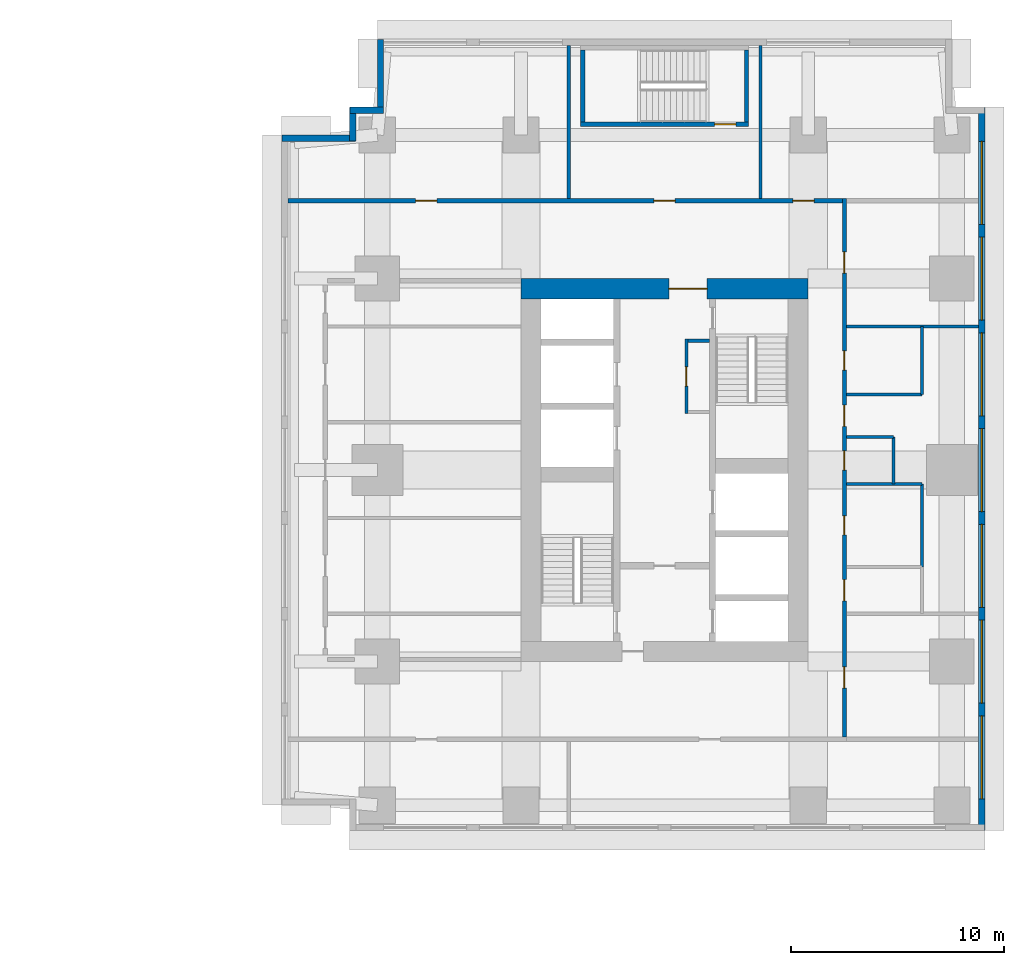
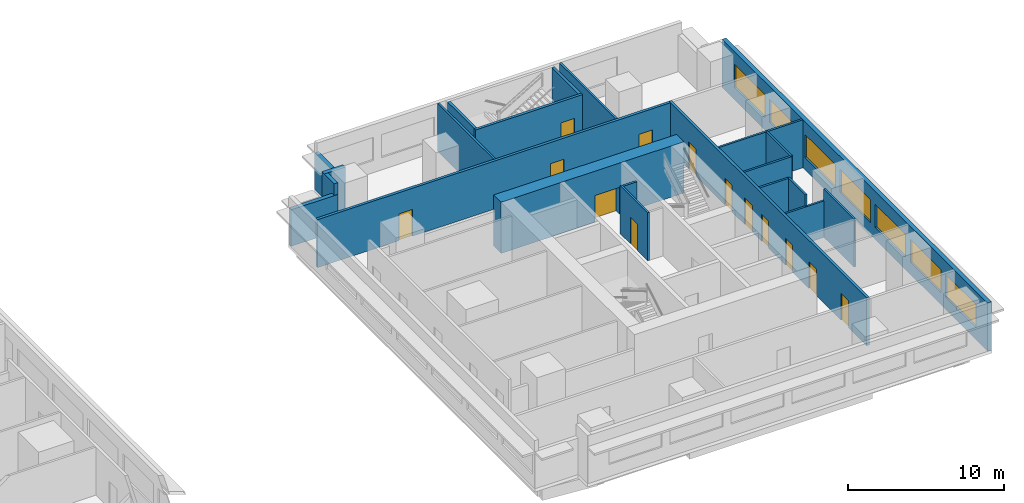
# One storey, part 7 of 11: 22 walls, 13 doors, 7 windows, 20 openings.
"""IFC4 building model written with IfcOpenShell, lengths in metres."""

from ifc_helpers import new_model, si_unit, direction, frame, frame_2d, origin, place, context, subcontext, project, spatial, rectangle, extrude, material, layer, layer_set, type_object, element, fill, save


model = new_model("IFC4")

# Units and contexts
model_context = context("Model", 3, precision=1e-05, world=origin(), true_north=direction((0.0, 1.0)))
body_context = subcontext(model_context, "Body", "Model", "MODEL_VIEW")
ifc_project = project(units=[si_unit("LENGTHUNIT", "METRE"), si_unit("AREAUNIT", "SQUARE_METRE"), si_unit("VOLUMEUNIT", "CUBIC_METRE"), si_unit("PLANEANGLEUNIT", "RADIAN"), si_unit("MASSUNIT", "GRAM", prefix="KILO")], contexts=[model_context])

# Site, building, storey
site_placement = place(None, origin())
site = spatial("IfcSite", under=ifc_project, at=site_placement, CompositionType="ELEMENT")
building_placement = place(site_placement, origin())
building = spatial("IfcBuilding", under=site, at=building_placement, Name="Namib Vertical Campus", CompositionType="ELEMENT")
storey_placement = place(building_placement, frame((0.0, 0.0, 89.0)))
storey = spatial("IfcBuildingStorey", under=building, at=storey_placement, Name="L20", CompositionType="ELEMENT", Elevation=89.0)

# Wall, opening, door
ifc_material_1 = material(Name="Concrete C60/75", Category="concrete")
ifc_layer_1 = layer(ifc_material_1, 0.949951171875)
ifc_layer_set_1 = layer_set([ifc_layer_1], Name="Concrete C60/75")
wall_type_1 = type_object("IfcWallType", Name="Core wall 950", PredefinedType="SHEAR", material=ifc_layer_set_1)
wall_1_placement = place(storey_placement, frame((87.75, 28.77490234375, 0.0), z_axis=(0.0, 0.0, 1.0), x_axis=(-1.0, 0.0, 0.0)))
wall_1 = element("IfcWall", 1, at=wall_1_placement, inside=storey, type_object=wall_type_1, Name="Core wall B L20 3", PredefinedType="SHEAR", context=body_context, shape_type="SweptSolid", body=[
    extrude(rectangle(XDim=13.5, YDim=0.949951171875, at=frame_2d((6.75, 0.0))), origin(), (0.0, 0.0, 1.0), 4.0),
])
opening_1_placement = place(wall_1_placement, frame((4.75, 0.0, 0.0)))
opening_1 = element("IfcOpeningElement", 2, at=opening_1_placement, cuts=wall_1, Name="Opening FD2", PredefinedType="OPENING", context=body_context, shape_type="SweptSolid", body=[
    extrude(rectangle(XDim=1.800048828125, YDim=2.10009765625, at=frame_2d((0.89990234375, 1.050048828125))), frame((0.0, 0.48486328125, 0.0), z_axis=(0.0, -1.0, 0.0), x_axis=(1.0, 0.0, 0.0)), (0.0, 0.0, 1.0), 0.969970703125),
])
ifc_material_2 = material(Name="Steel fire door", Category="steel")
door_type_1 = type_object("IfcDoorType", Name="Fire door double 1800x2100", OperationType="DOUBLE_DOOR_SINGLE_SWING", PredefinedType="DOOR", material=ifc_material_2)
door_1_placement = place(opening_1_placement, origin())
door_1 = element("IfcDoor", 3, at=door_1_placement, inside=storey, type_object=door_type_1, Name="Lift lobby door FD2 B L20", OperationType="DOUBLE_DOOR_SINGLE_SWING", OverallHeight=2.10009765625, OverallWidth=1.800048828125, PredefinedType="DOOR", context=body_context, shape_type="SweptSolid", body=[
    extrude(rectangle(XDim=1.800048828125, YDim=2.10009765625, at=frame_2d((0.89990234375, 1.050048828125))), frame((0.0, 0.02490234375, 0.0), z_axis=(0.0, -1.0, 0.0), x_axis=(1.0, 0.0, 0.0)), (0.0, 0.0, 1.0), 0.050048828125),
])
fill(opening_1, door_1)

# Wall, openings, doors
ifc_material_3 = material(Name="Concrete masonry", Category="masonry")
ifc_layer_2 = layer(ifc_material_3, 0.199951171875)
ifc_layer_set_2 = layer_set([ifc_layer_2], Name="Corridor wall 200")
wall_type_2 = type_object("IfcWallType", Name="Corridor wall 200", PredefinedType="SOLIDWALL", material=ifc_layer_set_2)
wall_2_placement = place(storey_placement, frame((89.449951171875, 7.699951171875, 0.0), z_axis=(0.0, 0.0, 1.0), x_axis=(0.0, 1.0, 0.0)))
wall_2 = element("IfcWall", 4, at=wall_2_placement, inside=storey, type_object=wall_type_2, Name="Corridor wall B L20 CE", PredefinedType="SOLIDWALL", context=body_context, shape_type="SweptSolid", body=[
    extrude(rectangle(XDim=25.300048828125, YDim=0.199951171875, at=frame_2d((12.64990234375, 0.0))), origin(), (0.0, 0.0, 1.0), 3.75),
])
opening_2_placement = place(wall_2_placement, frame((2.300048828125, 0.0, 0.0)))
opening_2 = element("IfcOpeningElement", 5, at=opening_2_placement, cuts=wall_2, Name="Opening CD1", PredefinedType="OPENING", context=body_context, shape_type="SweptSolid", body=[
    extrude(rectangle(XDim=1.0, YDim=2.10009765625, at=frame_2d((0.5, 1.050048828125))), frame((0.0, 0.10986328125, 0.0), z_axis=(0.0, -1.0, 0.0), x_axis=(1.0, 0.0, 0.0)), (0.0, 0.0, 1.0), 0.219970703125),
])
opening_3_placement = place(wall_2_placement, frame((6.39990234375, 0.0, 0.0)))
opening_3 = element("IfcOpeningElement", 6, at=opening_3_placement, cuts=wall_2, Name="Opening CD1", PredefinedType="OPENING", context=body_context, shape_type="SweptSolid", body=[
    extrude(rectangle(XDim=1.0, YDim=2.10009765625, at=frame_2d((0.5, 1.050048828125))), frame((0.0, 0.10986328125, 0.0), z_axis=(0.0, -1.0, 0.0), x_axis=(1.0, 0.0, 0.0)), (0.0, 0.0, 1.0), 0.219970703125),
])
opening_4_placement = place(wall_2_placement, frame((9.5, 0.0, 0.0)))
opening_4 = element("IfcOpeningElement", 7, at=opening_4_placement, cuts=wall_2, Name="Opening CD3", PredefinedType="OPENING", context=body_context, shape_type="SweptSolid", body=[
    extrude(rectangle(XDim=0.89990234375, YDim=2.10009765625, at=frame_2d((0.449951171875, 1.050048828125))), frame((0.0, 0.10986328125, 0.0), z_axis=(0.0, -1.0, 0.0), x_axis=(1.0, 0.0, 0.0)), (0.0, 0.0, 1.0), 0.219970703125),
])
opening_5_placement = place(wall_2_placement, frame((12.550048828125, 0.0, 0.0)))
opening_5 = element("IfcOpeningElement", 8, at=opening_5_placement, cuts=wall_2, Name="Opening CD3", PredefinedType="OPENING", context=body_context, shape_type="SweptSolid", body=[
    extrude(rectangle(XDim=0.89990234375, YDim=2.10009765625, at=frame_2d((0.449951171875, 1.050048828125))), frame((0.0, 0.10986328125, 0.0), z_axis=(0.0, -1.0, 0.0), x_axis=(1.0, 0.0, 0.0)), (0.0, 0.0, 1.0), 0.219970703125),
])
opening_6_placement = place(wall_2_placement, frame((17.25, 0.0, 0.0)))
opening_6 = element("IfcOpeningElement", 9, at=opening_6_placement, cuts=wall_2, Name="Opening CD3", PredefinedType="OPENING", context=body_context, shape_type="SweptSolid", body=[
    extrude(rectangle(XDim=0.89990234375, YDim=2.10009765625, at=frame_2d((0.449951171875, 1.050048828125))), frame((0.0, 0.10986328125, 0.0), z_axis=(0.0, -1.0, 0.0), x_axis=(1.0, 0.0, 0.0)), (0.0, 0.0, 1.0), 0.219970703125),
])
opening_7_placement = place(wall_2_placement, frame((14.60009765625, 0.0, 0.0)))
opening_7 = element("IfcOpeningElement", 10, at=opening_7_placement, cuts=wall_2, Name="Opening CD1", PredefinedType="OPENING", context=body_context, shape_type="SweptSolid", body=[
    extrude(rectangle(XDim=1.0, YDim=2.10009765625, at=frame_2d((0.5, 1.050048828125))), frame((0.0, 0.10986328125, 0.0), z_axis=(0.0, -1.0, 0.0), x_axis=(1.0, 0.0, 0.0)), (0.0, 0.0, 1.0), 0.219970703125),
])
opening_8_placement = place(wall_2_placement, frame((21.800048828125, 0.0, 0.0)))
opening_8 = element("IfcOpeningElement", 11, at=opening_8_placement, cuts=wall_2, Name="Opening CD1", PredefinedType="OPENING", context=body_context, shape_type="SweptSolid", body=[
    extrude(rectangle(XDim=1.0, YDim=2.10009765625, at=frame_2d((0.5, 1.050048828125))), frame((0.0, 0.10986328125, 0.0), z_axis=(0.0, -1.0, 0.0), x_axis=(1.0, 0.0, 0.0)), (0.0, 0.0, 1.0), 0.219970703125),
])
ifc_material_4 = material(Name="Timber fire door leaf", Category="wood")
door_type_2 = type_object("IfcDoorType", Name="Corridor door 1000x2100 20 min", OperationType="SINGLE_SWING_LEFT", PredefinedType="DOOR", material=ifc_material_4)
door_2_placement = place(opening_2_placement, frame((1.0, 0.0, 0.0), z_axis=(0.0, 0.0, 1.0), x_axis=(-1.0, 0.0, 0.0)))
door_2 = element("IfcDoor", 12, at=door_2_placement, inside=storey, type_object=door_type_2, Name="Door CD1 B20-03", OperationType="SINGLE_SWING_RIGHT", OverallHeight=2.10009765625, OverallWidth=1.0, PredefinedType="DOOR", context=body_context, shape_type="SweptSolid", body=[
    extrude(rectangle(XDim=1.0, YDim=2.10009765625, at=frame_2d((0.5, 1.050048828125))), frame((0.0, 0.02490234375, 0.0), z_axis=(0.0, -1.0, 0.0), x_axis=(1.0, 0.0, 0.0)), (0.0, 0.0, 1.0), 0.050048828125),
])
fill(opening_2, door_2)
door_3_placement = place(opening_3_placement, frame((1.0, 0.0, 0.0), z_axis=(0.0, 0.0, 1.0), x_axis=(-1.0, 0.0, 0.0)))
door_3 = element("IfcDoor", 13, at=door_3_placement, inside=storey, type_object=door_type_2, Name="Door CD1 B20-04", OperationType="SINGLE_SWING_RIGHT", OverallHeight=2.10009765625, OverallWidth=1.0, PredefinedType="DOOR", context=body_context, shape_type="SweptSolid", body=[
    extrude(rectangle(XDim=1.0, YDim=2.10009765625, at=frame_2d((0.5, 1.050048828125))), frame((0.0, 0.02490234375, 0.0), z_axis=(0.0, -1.0, 0.0), x_axis=(1.0, 0.0, 0.0)), (0.0, 0.0, 1.0), 0.050048828125),
])
fill(opening_3, door_3)
door_4_placement = place(opening_7_placement, frame((1.0, 0.0, 0.0), z_axis=(0.0, 0.0, 1.0), x_axis=(-1.0, 0.0, 0.0)))
door_4 = element("IfcDoor", 14, at=door_4_placement, inside=storey, type_object=door_type_2, Name="Door CD1 B20-08", OperationType="SINGLE_SWING_RIGHT", OverallHeight=2.10009765625, OverallWidth=1.0, PredefinedType="DOOR", context=body_context, shape_type="SweptSolid", body=[
    extrude(rectangle(XDim=1.0, YDim=2.10009765625, at=frame_2d((0.5, 1.050048828125))), frame((0.0, 0.02490234375, 0.0), z_axis=(0.0, -1.0, 0.0), x_axis=(1.0, 0.0, 0.0)), (0.0, 0.0, 1.0), 0.050048828125),
])
fill(opening_7, door_4)
door_5_placement = place(opening_8_placement, frame((1.0, 0.0, 0.0), z_axis=(0.0, 0.0, 1.0), x_axis=(-1.0, 0.0, 0.0)))
door_5 = element("IfcDoor", 15, at=door_5_placement, inside=storey, type_object=door_type_2, Name="Door CD1 B20-09", OperationType="SINGLE_SWING_RIGHT", OverallHeight=2.10009765625, OverallWidth=1.0, PredefinedType="DOOR", context=body_context, shape_type="SweptSolid", body=[
    extrude(rectangle(XDim=1.0, YDim=2.10009765625, at=frame_2d((0.5, 1.050048828125))), frame((0.0, 0.02490234375, 0.0), z_axis=(0.0, -1.0, 0.0), x_axis=(1.0, 0.0, 0.0)), (0.0, 0.0, 1.0), 0.050048828125),
])
fill(opening_8, door_5)
ifc_material_5 = material(Name="Timber fire door leaf", Category="wood")
door_type_3 = type_object("IfcDoorType", Name="Corridor toilet door 900x2100 20 min", OperationType="SINGLE_SWING_LEFT", PredefinedType="DOOR", material=ifc_material_5)
door_6_placement = place(opening_4_placement, frame((0.89990234375, 0.0, 0.0), z_axis=(0.0, 0.0, 1.0), x_axis=(-1.0, 0.0, 0.0)))
door_6 = element("IfcDoor", 16, at=door_6_placement, inside=storey, type_object=door_type_3, Name="Door CD3 B20-05", OperationType="SINGLE_SWING_RIGHT", OverallHeight=2.10009765625, OverallWidth=0.89990234375, PredefinedType="DOOR", context=body_context, shape_type="SweptSolid", body=[
    extrude(rectangle(XDim=0.89990234375, YDim=2.10009765625, at=frame_2d((0.449951171875, 1.050048828125))), frame((0.0, 0.02490234375, 0.0), z_axis=(0.0, -1.0, 0.0), x_axis=(1.0, 0.0, 0.0)), (0.0, 0.0, 1.0), 0.050048828125),
])
fill(opening_4, door_6)
door_7_placement = place(opening_5_placement, frame((0.89990234375, 0.0, 0.0), z_axis=(0.0, 0.0, 1.0), x_axis=(-1.0, 0.0, 0.0)))
door_7 = element("IfcDoor", 17, at=door_7_placement, inside=storey, type_object=door_type_3, Name="Door CD3 B20-06", OperationType="SINGLE_SWING_RIGHT", OverallHeight=2.10009765625, OverallWidth=0.89990234375, PredefinedType="DOOR", context=body_context, shape_type="SweptSolid", body=[
    extrude(rectangle(XDim=0.89990234375, YDim=2.10009765625, at=frame_2d((0.449951171875, 1.050048828125))), frame((0.0, 0.02490234375, 0.0), z_axis=(0.0, -1.0, 0.0), x_axis=(1.0, 0.0, 0.0)), (0.0, 0.0, 1.0), 0.050048828125),
])
fill(opening_5, door_7)
door_8_placement = place(opening_6_placement, frame((0.89990234375, 0.0, 0.0), z_axis=(0.0, 0.0, 1.0), x_axis=(-1.0, 0.0, 0.0)))
door_8 = element("IfcDoor", 18, at=door_8_placement, inside=storey, type_object=door_type_3, Name="Door CD3 B20-07", OperationType="SINGLE_SWING_RIGHT", OverallHeight=2.10009765625, OverallWidth=0.89990234375, PredefinedType="DOOR", context=body_context, shape_type="SweptSolid", body=[
    extrude(rectangle(XDim=0.89990234375, YDim=2.10009765625, at=frame_2d((0.449951171875, 1.050048828125))), frame((0.0, 0.02490234375, 0.0), z_axis=(0.0, -1.0, 0.0), x_axis=(1.0, 0.0, 0.0)), (0.0, 0.0, 1.0), 0.050048828125),
])
fill(opening_6, door_8)

wall_3_placement = place(storey_placement, frame((89.35009765625, 32.89990234375, 0.0), z_axis=(0.0, 0.0, 1.0), x_axis=(-1.0, 0.0, 0.0)))
wall_3 = element("IfcWall", 19, at=wall_3_placement, inside=storey, type_object=wall_type_2, Name="Corridor wall B L20 CN", PredefinedType="SOLIDWALL", context=body_context, shape_type="SweptSolid", body=[
    extrude(rectangle(XDim=26.050048828125, YDim=0.199951171875, at=frame_2d((13.02490234375, 0.0))), origin(), (0.0, 0.0, 1.0), 3.75),
])
opening_9_placement = place(wall_3_placement, frame((19.050048828125, 0.0, 0.0)))
opening_9 = element("IfcOpeningElement", 20, at=opening_9_placement, cuts=wall_3, Name="Opening CD1", PredefinedType="OPENING", context=body_context, shape_type="SweptSolid", body=[
    extrude(rectangle(XDim=1.0, YDim=2.10009765625, at=frame_2d((0.5, 1.050048828125))), frame((0.0, 0.10986328125, 0.0), z_axis=(0.0, -1.0, 0.0), x_axis=(1.0, 0.0, 0.0)), (0.0, 0.0, 1.0), 0.219970703125),
])
opening_10_placement = place(wall_3_placement, frame((7.85009765625, 0.0, 0.0)))
opening_10 = element("IfcOpeningElement", 21, at=opening_10_placement, cuts=wall_3, Name="Opening CD1", PredefinedType="OPENING", context=body_context, shape_type="SweptSolid", body=[
    extrude(rectangle(XDim=1.0, YDim=2.10009765625, at=frame_2d((0.5, 1.050048828125))), frame((0.0, 0.10986328125, 0.0), z_axis=(0.0, -1.0, 0.0), x_axis=(1.0, 0.0, 0.0)), (0.0, 0.0, 1.0), 0.219970703125),
])
opening_11_placement = place(wall_3_placement, frame((1.324951171875, 0.0, 0.0)))
opening_11 = element("IfcOpeningElement", 22, at=opening_11_placement, cuts=wall_3, Name="Opening CD1", PredefinedType="OPENING", context=body_context, shape_type="SweptSolid", body=[
    extrude(rectangle(XDim=1.0, YDim=2.10009765625, at=frame_2d((0.5, 1.050048828125))), frame((0.0, 0.10986328125, 0.0), z_axis=(0.0, -1.0, 0.0), x_axis=(1.0, 0.0, 0.0)), (0.0, 0.0, 1.0), 0.219970703125),
])
door_9_placement = place(opening_9_placement, frame((1.0, 0.0, 0.0), z_axis=(0.0, 0.0, 1.0), x_axis=(-1.0, 0.0, 0.0)))
door_9 = element("IfcDoor", 23, at=door_9_placement, inside=storey, type_object=door_type_2, Name="Door CD1 B20-10", OperationType="SINGLE_SWING_RIGHT", OverallHeight=2.10009765625, OverallWidth=1.0, PredefinedType="DOOR", context=body_context, shape_type="SweptSolid", body=[
    extrude(rectangle(XDim=1.0, YDim=2.10009765625, at=frame_2d((0.5, 1.050048828125))), frame((0.0, 0.02490234375, 0.0), z_axis=(0.0, -1.0, 0.0), x_axis=(1.0, 0.0, 0.0)), (0.0, 0.0, 1.0), 0.050048828125),
])
fill(opening_9, door_9)
door_10_placement = place(opening_10_placement, frame((1.0, 0.0, 0.0), z_axis=(0.0, 0.0, 1.0), x_axis=(-1.0, 0.0, 0.0)))
door_10 = element("IfcDoor", 24, at=door_10_placement, inside=storey, type_object=door_type_2, Name="Door CD1 B20-11", OperationType="SINGLE_SWING_RIGHT", OverallHeight=2.10009765625, OverallWidth=1.0, PredefinedType="DOOR", context=body_context, shape_type="SweptSolid", body=[
    extrude(rectangle(XDim=1.0, YDim=2.10009765625, at=frame_2d((0.5, 1.050048828125))), frame((0.0, 0.02490234375, 0.0), z_axis=(0.0, -1.0, 0.0), x_axis=(1.0, 0.0, 0.0)), (0.0, 0.0, 1.0), 0.050048828125),
])
fill(opening_10, door_10)
door_11_placement = place(opening_11_placement, frame((1.0, 0.0, 0.0), z_axis=(0.0, 0.0, 1.0), x_axis=(-1.0, 0.0, 0.0)))
door_11 = element("IfcDoor", 25, at=door_11_placement, inside=storey, type_object=door_type_2, Name="Door CD1 B20-12", OperationType="SINGLE_SWING_LEFT", OverallHeight=2.10009765625, OverallWidth=1.0, PredefinedType="DOOR", context=body_context, shape_type="SweptSolid", body=[
    extrude(rectangle(XDim=1.0, YDim=2.10009765625, at=frame_2d((0.5, 1.050048828125))), frame((0.0, 0.02490234375, 0.0), z_axis=(0.0, -1.0, 0.0), x_axis=(1.0, 0.0, 0.0)), (0.0, 0.0, 1.0), 0.050048828125),
])
fill(opening_11, door_11)

# Wall, openings, windows
ifc_material_6 = material(Name="Concrete C40/50", Category="concrete")
ifc_layer_3 = layer(ifc_material_6, 0.300048828125)
ifc_layer_set_3 = layer_set([ifc_layer_3], Name="Concrete C40/50")
wall_type_3 = type_object("IfcWallType", Name="External wall 300 board-marked concrete", PredefinedType="STANDARD", material=ifc_layer_set_3)
wall_4_placement = place(storey_placement, frame((95.89990234375, 3.320068359375, 0.0), z_axis=(0.0, 0.0, 1.0), x_axis=(0.0, 1.0, 0.0)))
wall_4 = element("IfcWall", 26, at=wall_4_placement, inside=storey, type_object=wall_type_3, Name="External wall L20 F04", PredefinedType="STANDARD", context=body_context, shape_type="SweptSolid", body=[
    extrude(rectangle(XDim=33.9599609375, YDim=0.300048828125, at=frame_2d((16.97998046875, 0.0))), origin(), (0.0, 0.0, 1.0), 3.75),
])
opening_12_placement = place(wall_4_placement, frame((1.47998046875, 0.0, 0.949951171875)))
opening_12 = element("IfcOpeningElement", 27, at=opening_12_placement, cuts=wall_4, Name="Opening W3", PredefinedType="OPENING", context=body_context, shape_type="SweptSolid", body=[
    extrude(rectangle(XDim=3.89990234375, YDim=1.800048828125, at=frame_2d((1.949951171875, 0.89990234375))), frame((0.0, 0.159912109375, 0.0), z_axis=(0.0, -1.0, 0.0), x_axis=(1.0, 0.0, 0.0)), (0.0, 0.0, 1.0), 0.320068359375),
])
opening_13_placement = place(wall_4_placement, frame((5.97998046875, 0.0, 0.949951171875)))
opening_13 = element("IfcOpeningElement", 28, at=opening_13_placement, cuts=wall_4, Name="Opening W3", PredefinedType="OPENING", context=body_context, shape_type="SweptSolid", body=[
    extrude(rectangle(XDim=3.89990234375, YDim=1.800048828125, at=frame_2d((1.949951171875, 0.89990234375))), frame((0.0, 0.159912109375, 0.0), z_axis=(0.0, -1.0, 0.0), x_axis=(1.0, 0.0, 0.0)), (0.0, 0.0, 1.0), 0.320068359375),
])
opening_14_placement = place(wall_4_placement, frame((10.47998046875, 0.0, 0.949951171875)))
opening_14 = element("IfcOpeningElement", 29, at=opening_14_placement, cuts=wall_4, Name="Opening W3", PredefinedType="OPENING", context=body_context, shape_type="SweptSolid", body=[
    extrude(rectangle(XDim=3.89990234375, YDim=1.800048828125, at=frame_2d((1.949951171875, 0.89990234375))), frame((0.0, 0.159912109375, 0.0), z_axis=(0.0, -1.0, 0.0), x_axis=(1.0, 0.0, 0.0)), (0.0, 0.0, 1.0), 0.320068359375),
])
opening_15_placement = place(wall_4_placement, frame((14.97998046875, 0.0, 0.949951171875)))
opening_15 = element("IfcOpeningElement", 30, at=opening_15_placement, cuts=wall_4, Name="Opening W3", PredefinedType="OPENING", context=body_context, shape_type="SweptSolid", body=[
    extrude(rectangle(XDim=3.89990234375, YDim=1.800048828125, at=frame_2d((1.949951171875, 0.89990234375))), frame((0.0, 0.159912109375, 0.0), z_axis=(0.0, -1.0, 0.0), x_axis=(1.0, 0.0, 0.0)), (0.0, 0.0, 1.0), 0.320068359375),
])
opening_16_placement = place(wall_4_placement, frame((19.47998046875, 0.0, 0.949951171875)))
opening_16 = element("IfcOpeningElement", 31, at=opening_16_placement, cuts=wall_4, Name="Opening W3", PredefinedType="OPENING", context=body_context, shape_type="SweptSolid", body=[
    extrude(rectangle(XDim=3.89990234375, YDim=1.800048828125, at=frame_2d((1.949951171875, 0.89990234375))), frame((0.0, 0.159912109375, 0.0), z_axis=(0.0, -1.0, 0.0), x_axis=(1.0, 0.0, 0.0)), (0.0, 0.0, 1.0), 0.320068359375),
])
opening_17_placement = place(wall_4_placement, frame((23.97998046875, 0.0, 0.949951171875)))
opening_17 = element("IfcOpeningElement", 32, at=opening_17_placement, cuts=wall_4, Name="Opening W3", PredefinedType="OPENING", context=body_context, shape_type="SweptSolid", body=[
    extrude(rectangle(XDim=3.89990234375, YDim=1.800048828125, at=frame_2d((1.949951171875, 0.89990234375))), frame((0.0, 0.159912109375, 0.0), z_axis=(0.0, -1.0, 0.0), x_axis=(1.0, 0.0, 0.0)), (0.0, 0.0, 1.0), 0.320068359375),
])
opening_18_placement = place(wall_4_placement, frame((28.47998046875, 0.0, 0.949951171875)))
opening_18 = element("IfcOpeningElement", 33, at=opening_18_placement, cuts=wall_4, Name="Opening W3", PredefinedType="OPENING", context=body_context, shape_type="SweptSolid", body=[
    extrude(rectangle(XDim=3.89990234375, YDim=1.800048828125, at=frame_2d((1.949951171875, 0.89990234375))), frame((0.0, 0.159912109375, 0.0), z_axis=(0.0, -1.0, 0.0), x_axis=(1.0, 0.0, 0.0)), (0.0, 0.0, 1.0), 0.320068359375),
])
ifc_material_7 = material(Name="Dark tinted glass in black aluminium frame", Category="aluminium")
window_type = type_object("IfcWindowType", Name="Ribbon window 3900x1800", PartitioningType="SINGLE_PANEL", PredefinedType="WINDOW", material=ifc_material_7)
window_1_placement = place(opening_12_placement, origin())
window_1 = element("IfcWindow", 34, at=window_1_placement, inside=storey, type_object=window_type, Name="Window W3 L20 F04-1", OverallHeight=1.800048828125, OverallWidth=3.89990234375, PartitioningType="SINGLE_PANEL", PredefinedType="WINDOW", context=body_context, shape_type="SweptSolid", body=[
    extrude(rectangle(XDim=3.89990234375, YDim=1.800048828125, at=frame_2d((1.949951171875, 0.89990234375))), frame((0.0, 0.030029296875, 0.0), z_axis=(0.0, -1.0, 0.0), x_axis=(1.0, 0.0, 0.0)), (0.0, 0.0, 1.0), 0.06005859375),
])
fill(opening_12, window_1)
window_2_placement = place(opening_13_placement, origin())
window_2 = element("IfcWindow", 35, at=window_2_placement, inside=storey, type_object=window_type, Name="Window W3 L20 F04-2", OverallHeight=1.800048828125, OverallWidth=3.89990234375, PartitioningType="SINGLE_PANEL", PredefinedType="WINDOW", context=body_context, shape_type="SweptSolid", body=[
    extrude(rectangle(XDim=3.89990234375, YDim=1.800048828125, at=frame_2d((1.949951171875, 0.89990234375))), frame((0.0, 0.030029296875, 0.0), z_axis=(0.0, -1.0, 0.0), x_axis=(1.0, 0.0, 0.0)), (0.0, 0.0, 1.0), 0.06005859375),
])
fill(opening_13, window_2)
window_3_placement = place(opening_14_placement, origin())
window_3 = element("IfcWindow", 36, at=window_3_placement, inside=storey, type_object=window_type, Name="Window W3 L20 F04-3", OverallHeight=1.800048828125, OverallWidth=3.89990234375, PartitioningType="SINGLE_PANEL", PredefinedType="WINDOW", context=body_context, shape_type="SweptSolid", body=[
    extrude(rectangle(XDim=3.89990234375, YDim=1.800048828125, at=frame_2d((1.949951171875, 0.89990234375))), frame((0.0, 0.030029296875, 0.0), z_axis=(0.0, -1.0, 0.0), x_axis=(1.0, 0.0, 0.0)), (0.0, 0.0, 1.0), 0.06005859375),
])
fill(opening_14, window_3)
window_4_placement = place(opening_15_placement, origin())
window_4 = element("IfcWindow", 37, at=window_4_placement, inside=storey, type_object=window_type, Name="Window W3 L20 F04-4", OverallHeight=1.800048828125, OverallWidth=3.89990234375, PartitioningType="SINGLE_PANEL", PredefinedType="WINDOW", context=body_context, shape_type="SweptSolid", body=[
    extrude(rectangle(XDim=3.89990234375, YDim=1.800048828125, at=frame_2d((1.949951171875, 0.89990234375))), frame((0.0, 0.030029296875, 0.0), z_axis=(0.0, -1.0, 0.0), x_axis=(1.0, 0.0, 0.0)), (0.0, 0.0, 1.0), 0.06005859375),
])
fill(opening_15, window_4)
window_5_placement = place(opening_16_placement, origin())
window_5 = element("IfcWindow", 38, at=window_5_placement, inside=storey, type_object=window_type, Name="Window W3 L20 F04-5", OverallHeight=1.800048828125, OverallWidth=3.89990234375, PartitioningType="SINGLE_PANEL", PredefinedType="WINDOW", context=body_context, shape_type="SweptSolid", body=[
    extrude(rectangle(XDim=3.89990234375, YDim=1.800048828125, at=frame_2d((1.949951171875, 0.89990234375))), frame((0.0, 0.030029296875, 0.0), z_axis=(0.0, -1.0, 0.0), x_axis=(1.0, 0.0, 0.0)), (0.0, 0.0, 1.0), 0.06005859375),
])
fill(opening_16, window_5)
window_6_placement = place(opening_17_placement, origin())
window_6 = element("IfcWindow", 39, at=window_6_placement, inside=storey, type_object=window_type, Name="Window W3 L20 F04-6", OverallHeight=1.800048828125, OverallWidth=3.89990234375, PartitioningType="SINGLE_PANEL", PredefinedType="WINDOW", context=body_context, shape_type="SweptSolid", body=[
    extrude(rectangle(XDim=3.89990234375, YDim=1.800048828125, at=frame_2d((1.949951171875, 0.89990234375))), frame((0.0, 0.030029296875, 0.0), z_axis=(0.0, -1.0, 0.0), x_axis=(1.0, 0.0, 0.0)), (0.0, 0.0, 1.0), 0.06005859375),
])
fill(opening_17, window_6)
window_7_placement = place(opening_18_placement, origin())
window_7 = element("IfcWindow", 40, at=window_7_placement, inside=storey, type_object=window_type, Name="Window W3 L20 F04-7", OverallHeight=1.800048828125, OverallWidth=3.89990234375, PartitioningType="SINGLE_PANEL", PredefinedType="WINDOW", context=body_context, shape_type="SweptSolid", body=[
    extrude(rectangle(XDim=3.89990234375, YDim=1.800048828125, at=frame_2d((1.949951171875, 0.89990234375))), frame((0.0, 0.030029296875, 0.0), z_axis=(0.0, -1.0, 0.0), x_axis=(1.0, 0.0, 0.0)), (0.0, 0.0, 1.0), 0.06005859375),
])
fill(opening_18, window_7)

# Walls
wall_5_placement = place(storey_placement, frame((67.64990234375, 40.47998046875, 0.0), z_axis=(0.0, 0.0, 1.0), x_axis=(0.0, -1.0, 0.0)))
element("IfcWall", 41, at=wall_5_placement, inside=storey, type_object=wall_type_3, Name="External wall L20 F08", PredefinedType="STANDARD", context=body_context, shape_type="SweptSolid", body=[
    extrude(rectangle(XDim=3.4599609375, YDim=0.300048828125, at=frame_2d((1.72998046875, 0.0))), origin(), (0.0, 0.0, 1.0), 2.85009765625),
])
for number, where, z_axis, x_axis, name in (
    (42, (67.780029296875, 37.14990234375, 0.0), (0.0, 0.0, 1.0), (-1.0, 0.0, 0.0), "External wall L20 F09"),
    (43, (66.35009765625, 37.280029296875, 0.0), (0.0, 0.0, 1.0), (0.0, -1.0, 0.0), "External wall L20 F10"),
):
    element("IfcWall", number, at=place(storey_placement, frame(where, z_axis=z_axis, x_axis=x_axis)), inside=storey, type_object=wall_type_3, Name=name, PredefinedType="STANDARD", context=body_context, shape_type="SweptSolid", body=[
        extrude(rectangle(XDim=1.56005859375, YDim=0.300048828125, at=frame_2d((0.780029296875, 0.0))), origin(), (0.0, 0.0, 1.0), 3.75),
    ])
wall_6_placement = place(storey_placement, frame((66.47998046875, 35.85009765625, 0.0), z_axis=(0.0, 0.0, 1.0), x_axis=(-1.0, 0.0, 0.0)))
element("IfcWall", 44, at=wall_6_placement, inside=storey, type_object=wall_type_3, Name="External wall L20 F11", PredefinedType="STANDARD", context=body_context, shape_type="SweptSolid", body=[
    extrude(rectangle(XDim=3.4599609375, YDim=0.300048828125, at=frame_2d((1.72998046875, 0.0))), origin(), (0.0, 0.0, 1.0), 2.85009765625),
])

# Wall, opening, door
ifc_material_8 = material(Name="Gypsum board on steel studs", Category="steel")
ifc_layer_4 = layer(ifc_material_8, 0.14990234375)
ifc_layer_set_4 = layer_set([ifc_layer_4], Name="Gypsum board on steel studs")
wall_type_4 = type_object("IfcWallType", Name="Partition 150", PredefinedType="PARTITIONING", material=ifc_layer_set_4)
wall_7_placement = place(storey_placement, frame((82.02490234375, 22.89990234375, 0.0), z_axis=(0.0, 0.0, 1.0), x_axis=(0.0, 1.0, 0.0)))
wall_7 = element("IfcWall", 45, at=wall_7_placement, inside=storey, type_object=wall_type_4, Name="Partition B L20 Staff pantry front", PredefinedType="PARTITIONING", context=body_context, shape_type="SweptSolid", body=[
    extrude(rectangle(XDim=3.5, YDim=0.14990234375, at=frame_2d((1.75, 0.0))), origin(), (0.0, 0.0, 1.0), 3.75),
])
opening_19_placement = place(wall_7_placement, frame((1.300048828125, 0.0, 0.0)))
opening_19 = element("IfcOpeningElement", 46, at=opening_19_placement, cuts=wall_7, Name="Opening D3", PredefinedType="OPENING", context=body_context, shape_type="SweptSolid", body=[
    extrude(rectangle(XDim=0.89990234375, YDim=2.10009765625, at=frame_2d((0.449951171875, 1.050048828125))), frame((0.0, 0.0849609375, 0.0), z_axis=(0.0, -1.0, 0.0), x_axis=(1.0, 0.0, 0.0)), (0.0, 0.0, 1.0), 0.169921875),
])
ifc_material_9 = material(Name="Timber door leaf", Category="wood")
door_type_4 = type_object("IfcDoorType", Name="Toilet door 900x2100", OperationType="SINGLE_SWING_LEFT", PredefinedType="DOOR", material=ifc_material_9)
door_12_placement = place(opening_19_placement, frame((0.89990234375, 0.0, 0.0), z_axis=(0.0, 0.0, 1.0), x_axis=(-1.0, 0.0, 0.0)))
door_12 = element("IfcDoor", 47, at=door_12_placement, inside=storey, type_object=door_type_4, Name="Door D3 Staff pantry B L20", OperationType="SINGLE_SWING_RIGHT", OverallHeight=2.10009765625, OverallWidth=0.89990234375, PredefinedType="DOOR", context=body_context, shape_type="SweptSolid", body=[
    extrude(rectangle(XDim=0.89990234375, YDim=2.10009765625, at=frame_2d((0.449951171875, 1.050048828125))), frame((0.0, 0.02490234375, 0.0), z_axis=(0.0, -1.0, 0.0), x_axis=(1.0, 0.0, 0.0)), (0.0, 0.0, 1.0), 0.050048828125),
])
fill(opening_19, door_12)

# Walls
wall_8_placement = place(storey_placement, frame((82.10009765625, 26.324951171875, 0.0), z_axis=(0.0, 0.0, 1.0), x_axis=(1.0, 0.0, 0.0)))
element("IfcWall", 48, at=wall_8_placement, inside=storey, type_object=wall_type_4, Name="Partition B L20 Staff pantry end 2", PredefinedType="PARTITIONING", context=body_context, shape_type="SweptSolid", body=[
    extrude(rectangle(XDim=1.0, YDim=0.14990234375, at=frame_2d((0.5, 0.0))), origin(), (0.0, 0.0, 1.0), 3.75),
])
for number, where, z_axis, x_axis, name in (
    (49, (76.5, 33.0, 0.0), (0.0, 0.0, 1.0), (0.0, 1.0, 0.0), "Partition B L20 PN1"),
    (50, (85.5, 33.0, 0.0), (0.0, 0.0, 1.0), (0.0, 1.0, 0.0), "Partition B L20 PN2"),
):
    element("IfcWall", number, at=place(storey_placement, frame(where, z_axis=z_axis, x_axis=x_axis)), inside=storey, type_object=wall_type_4, Name=name, PredefinedType="PARTITIONING", context=body_context, shape_type="SweptSolid", body=[
        extrude(rectangle(XDim=7.199951171875, YDim=0.14990234375, at=frame_2d((3.60009765625, 0.0))), origin(), (0.0, 0.0, 1.0), 3.75),
    ])
wall_9_placement = place(storey_placement, frame((89.550048828125, 27.0, 0.0), z_axis=(0.0, 0.0, 1.0), x_axis=(1.0, 0.0, 0.0)))
element("IfcWall", 51, at=wall_9_placement, inside=storey, type_object=wall_type_4, Name="Partition B L20 PE2", PredefinedType="PARTITIONING", context=body_context, shape_type="SweptSolid", body=[
    extrude(rectangle(XDim=6.199951171875, YDim=0.14990234375, at=frame_2d((3.10009765625, 0.0))), origin(), (0.0, 0.0, 1.0), 3.75),
])
wall_10_placement = place(storey_placement, frame((89.550048828125, 19.60009765625, 0.0), z_axis=(0.0, 0.0, 1.0), x_axis=(1.0, 0.0, 0.0)))
element("IfcWall", 52, at=wall_10_placement, inside=storey, type_object=wall_type_4, Name="Partition B L20 WR2", PredefinedType="PARTITIONING", context=body_context, shape_type="SweptSolid", body=[
    extrude(rectangle(XDim=3.550048828125, YDim=0.14990234375, at=frame_2d((1.77490234375, 0.0))), origin(), (0.0, 0.0, 1.0), 2.85009765625),
])
wall_11_placement = place(storey_placement, frame((89.550048828125, 21.800048828125, 0.0), z_axis=(0.0, 0.0, 1.0), x_axis=(1.0, 0.0, 0.0)))
element("IfcWall", 53, at=wall_11_placement, inside=storey, type_object=wall_type_4, Name="Partition B L20 WR3", PredefinedType="PARTITIONING", context=body_context, shape_type="SweptSolid", body=[
    extrude(rectangle(XDim=2.199951171875, YDim=0.14990234375, at=frame_2d((1.10009765625, 0.0))), origin(), (0.0, 0.0, 1.0), 3.75),
])
wall_12_placement = place(storey_placement, frame((89.550048828125, 23.800048828125, 0.0), z_axis=(0.0, 0.0, 1.0), x_axis=(1.0, 0.0, 0.0)))
element("IfcWall", 54, at=wall_12_placement, inside=storey, type_object=wall_type_4, Name="Partition B L20 WR4", PredefinedType="PARTITIONING", context=body_context, shape_type="SweptSolid", body=[
    extrude(rectangle(XDim=3.550048828125, YDim=0.14990234375, at=frame_2d((1.77490234375, 0.0))), origin(), (0.0, 0.0, 1.0), 3.75),
])
wall_13_placement = place(storey_placement, frame((93.10009765625, 15.699951171875, 0.0), z_axis=(0.0, 0.0, 1.0), x_axis=(0.0, 1.0, 0.0)))
element("IfcWall", 55, at=wall_13_placement, inside=storey, type_object=wall_type_4, Name="Partition B L20 WB2", PredefinedType="PARTITIONING", context=body_context, shape_type="SweptSolid", body=[
    extrude(rectangle(XDim=3.900146484375, YDim=0.14990234375, at=frame_2d((1.9501953125, 0.0))), origin(), (0.0, 0.0, 1.0), 3.75),
])
wall_14_placement = place(storey_placement, frame((91.75, 19.60009765625, 0.0), z_axis=(0.0, 0.0, 1.0), x_axis=(0.0, 1.0, 0.0)))
element("IfcWall", 56, at=wall_14_placement, inside=storey, type_object=wall_type_4, Name="Partition B L20 WB3", PredefinedType="PARTITIONING", context=body_context, shape_type="SweptSolid", body=[
    extrude(rectangle(XDim=2.199951171875, YDim=0.14990234375, at=frame_2d((1.10009765625, 0.0))), origin(), (0.0, 0.0, 1.0), 3.75),
])
wall_15_placement = place(storey_placement, frame((93.10009765625, 23.800048828125, 0.0), z_axis=(0.0, 0.0, 1.0), x_axis=(0.0, 1.0, 0.0)))
element("IfcWall", 57, at=wall_15_placement, inside=storey, type_object=wall_type_4, Name="Partition B L20 WB4", PredefinedType="PARTITIONING", context=body_context, shape_type="SweptSolid", body=[
    extrude(rectangle(XDim=3.199951171875, YDim=0.14990234375, at=frame_2d((1.60009765625, 0.0))), origin(), (0.0, 0.0, 1.0), 3.75),
])

# Wall, opening, door
ifc_material_10 = material(Name="Concrete C40/50", Category="concrete")
ifc_layer_5 = layer(ifc_material_10, 0.199951171875)
ifc_layer_set_5 = layer_set([ifc_layer_5], Name="Concrete C40/50")
wall_type_5 = type_object("IfcWallType", Name="Stair enclosure wall RC 200", PredefinedType="SOLIDWALL", material=ifc_layer_set_5)
wall_16_placement = place(storey_placement, frame((77.050048828125, 36.5, 0.0), z_axis=(0.0, 0.0, 1.0), x_axis=(1.0, 0.0, 0.0)))
wall_16 = element("IfcWall", 58, at=wall_16_placement, inside=storey, type_object=wall_type_5, Name="Stair enclosure wall B-S3 L20 S", PredefinedType="SOLIDWALL", context=body_context, shape_type="SweptSolid", body=[
    extrude(rectangle(XDim=7.89990234375, YDim=0.199951171875, at=frame_2d((3.949951171875, 0.0))), origin(), (0.0, 0.0, 1.0), 3.75),
])
opening_20_placement = place(wall_16_placement, frame((6.300048828125, 0.0, 0.0)))
opening_20 = element("IfcOpeningElement", 59, at=opening_20_placement, cuts=wall_16, Name="Opening FD1", PredefinedType="OPENING", context=body_context, shape_type="SweptSolid", body=[
    extrude(rectangle(XDim=1.0, YDim=2.10009765625, at=frame_2d((0.5, 1.050048828125))), frame((0.0, 0.10986328125, 0.0), z_axis=(0.0, -1.0, 0.0), x_axis=(1.0, 0.0, 0.0)), (0.0, 0.0, 1.0), 0.219970703125),
])
ifc_material_11 = material(Name="Steel fire door", Category="steel")
door_type_5 = type_object("IfcDoorType", Name="Fire door 1000x2100", OperationType="SINGLE_SWING_RIGHT", PredefinedType="DOOR", material=ifc_material_11)
door_13_placement = place(opening_20_placement, origin())
door_13 = element("IfcDoor", 60, at=door_13_placement, inside=storey, type_object=door_type_5, Name="Stair door FD1 B L20 S3", OperationType="SINGLE_SWING_RIGHT", OverallHeight=2.10009765625, OverallWidth=1.0, PredefinedType="DOOR", context=body_context, shape_type="SweptSolid", body=[
    extrude(rectangle(XDim=1.0, YDim=2.10009765625, at=frame_2d((0.5, 1.050048828125))), frame((0.0, 0.02490234375, 0.0), z_axis=(0.0, -1.0, 0.0), x_axis=(1.0, 0.0, 0.0)), (0.0, 0.0, 1.0), 0.050048828125),
])
fill(opening_20, door_13)

# Walls
for number, where, z_axis, x_axis, name in (
    (61, (77.14990234375, 36.60009765625, 0.0), (0.0, 0.0, 1.0), (0.0, 1.0, 0.0), "Stair enclosure wall B-S3 L20 W"),
    (62, (84.85009765625, 36.60009765625, 0.0), (0.0, 0.0, 1.0), (0.0, 1.0, 0.0), "Stair enclosure wall B-S3 L20 E"),
):
    element("IfcWall", number, at=place(storey_placement, frame(where, z_axis=z_axis, x_axis=x_axis)), inside=storey, type_object=wall_type_5, Name=name, PredefinedType="SOLIDWALL", context=body_context, shape_type="SweptSolid", body=[
        extrude(rectangle(XDim=3.39990234375, YDim=0.199951171875, at=frame_2d((1.699951171875, 0.0))), origin(), (0.0, 0.0, 1.0), 3.75),
    ])

save(model, "model.ifc")
